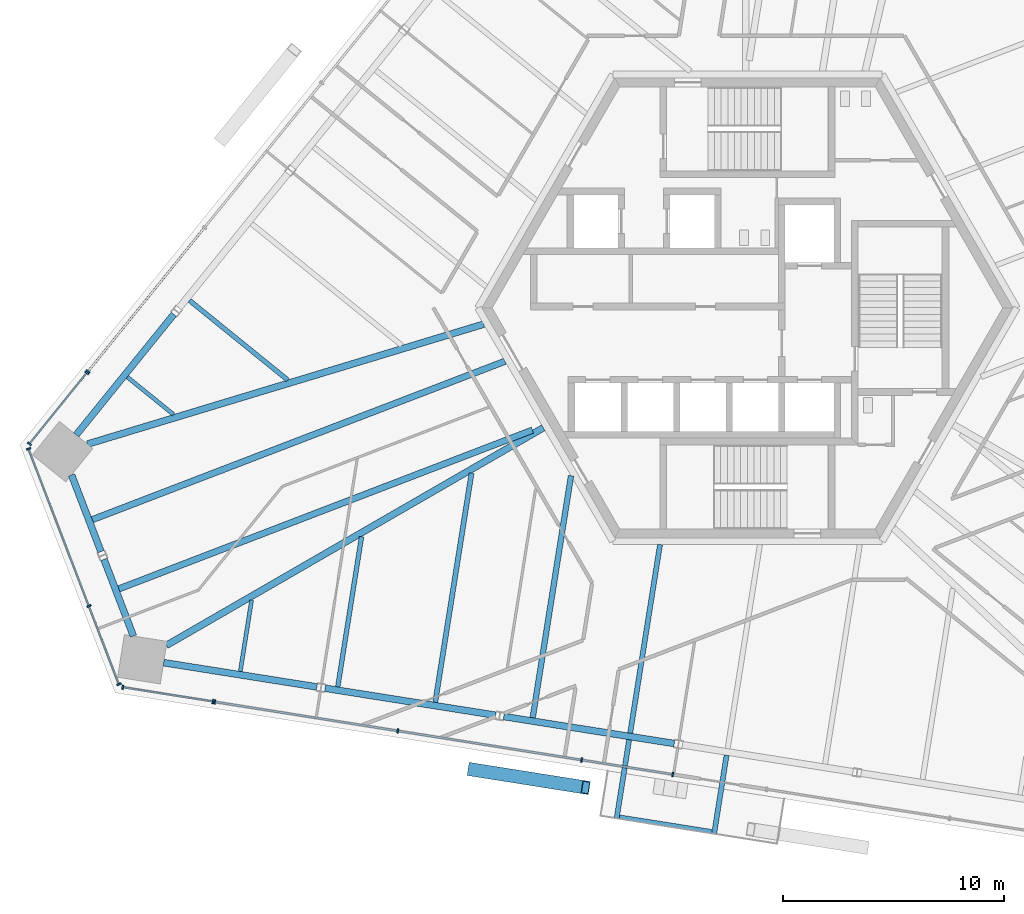
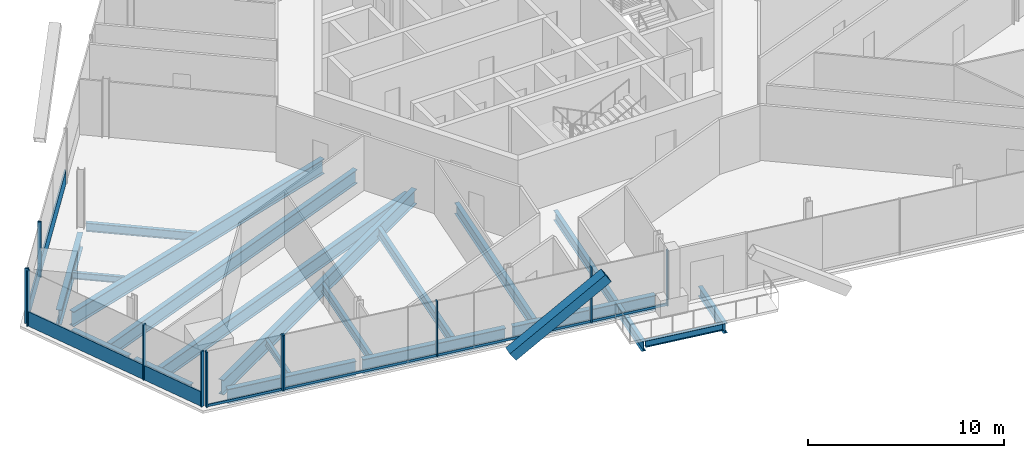
# One storey, part 4 of 19: 21 members, 20 beams, 5 elements without a shape of their own.
"""IFC4 building model written with IfcOpenShell, lengths in metres."""

from ifc_helpers import new_model, si_unit, direction, frame, origin, origin_2d, place, context, subcontext, project, spatial, rectangle, hollow_rectangle, i_section, extrude, source, transform, mapped, material, material_profile, profile_set, type_object, element, aggregate, save


model = new_model("IFC4")

# Units and contexts
model_context = context("Model", 3, precision=1e-05, world=origin(), true_north=direction((0.0, 1.0)))
body_context = subcontext(model_context, "Body", "Model", "MODEL_VIEW")
ifc_project = project(units=[si_unit("LENGTHUNIT", "METRE"), si_unit("AREAUNIT", "SQUARE_METRE"), si_unit("VOLUMEUNIT", "CUBIC_METRE"), si_unit("PLANEANGLEUNIT", "RADIAN"), si_unit("MASSUNIT", "GRAM", prefix="KILO")], contexts=[model_context])

# Site, building, storey
site_placement = place(None, origin())
site = spatial("IfcSite", under=ifc_project, at=site_placement, CompositionType="ELEMENT")
building_placement = place(site_placement, origin())
building = spatial("IfcBuilding", under=site, at=building_placement, Name="Triune Harvest Tower", CompositionType="ELEMENT")
storey_placement = place(building_placement, frame((0.0, 0.0, 149.699951171875)))
storey = spatial("IfcBuildingStorey", under=building, at=storey_placement, Name="L38", CompositionType="ELEMENT", Elevation=149.699951171875)

# Curtain wall, member
ifc_material_1 = material(Name="Aluminium bronze anodised", Category="aluminium")
curtain_wall_type_1 = type_object("IfcCurtainWallType", Name="CW-6 Balcony window wall", PredefinedType="NOTDEFINED", material=ifc_material_1)
curtain_wall_1_placement = place(storey_placement, origin())
curtain_wall_1 = element("IfcCurtainWall", 1, at=curtain_wall_1_placement, inside=storey, type_object=curtain_wall_type_1, Name="CW-6 B4-F5 L38 run 1")
ifc_material_2 = material(Name="Aluminium bronze anodised", Category="aluminium")
ifc_material_profile_1 = material_profile(ifc_material_2, rectangle(XDim=0.090087890625, YDim=0.14990234375, at=origin_2d()), Name="TR-6 transom 90 x 150")
ifc_profile_set_1 = profile_set([ifc_material_profile_1], Name="Aluminium bronze anodised")
member_type_1 = type_object("IfcMemberType", Name="TR-6 transom 90 x 150", PredefinedType="USERDEFINED", material=ifc_profile_set_1)
member_1_placement = place(storey_placement, frame((-28.192138671875, -17.151611328125, 0.074951171875), z_axis=(0.987689165137, -0.156429259, 0.0), x_axis=(0.156429259, 0.987689165137, 0.0)))
member_1 = element("IfcMember", 2, at=member_1_placement, type_object=member_type_1, Name="CW-6 transom B4-F5 1.1", ObjectType="TRANSOM", PredefinedType="USERDEFINED", context=body_context, shape_type="SweptSolid", body=[
    extrude(rectangle(XDim=0.090087890625, YDim=0.14990234375, at=origin_2d()), origin(), (0.0, 0.0, 1.0), 4.056396484375),
])

# Curtain wall, members
ifc_material_3 = material(Name="Aluminium bronze anodised", Category="aluminium")
curtain_wall_type_2 = type_object("IfcCurtainWallType", Name="CW-10 Balcony window wall with insulated spandrel infill", PredefinedType="NOTDEFINED", material=ifc_material_3)
curtain_wall_2_placement = place(storey_placement, origin())
curtain_wall_2 = element("IfcCurtainWall", 3, at=curtain_wall_2_placement, inside=storey, type_object=curtain_wall_type_2, Name="CW-10 B4-F5 L38 run 1001")
member_2_placement = place(storey_placement, frame((-24.037841796875, -17.8095703125, 0.074951171875), z_axis=(0.987689398324, -0.156427786655, 0.0), x_axis=(0.156427786655, 0.987689398324, 0.0)))
member_2 = element("IfcMember", 4, at=member_2_placement, type_object=member_type_1, Name="CW-10 transom B4-F5 1001.1", ObjectType="TRANSOM", PredefinedType="USERDEFINED", context=body_context, shape_type="SweptSolid", body=[
    extrude(rectangle(XDim=0.090087890625, YDim=0.14990234375, at=origin_2d()), origin(), (0.0, 0.0, 1.0), 8.300048828125),
])
member_3_placement = place(storey_placement, frame((-15.76611328125, -19.11962890625, 0.074951171875), z_axis=(0.987684489016, -0.156458781014, 0.0), x_axis=(0.156458781014, 0.987684489016, 0.0)))
member_3 = element("IfcMember", 5, at=member_3_placement, type_object=member_type_1, Name="CW-10 transom B4-F5 1001.2", ObjectType="TRANSOM", PredefinedType="USERDEFINED", context=body_context, shape_type="SweptSolid", body=[
    extrude(rectangle(XDim=0.090087890625, YDim=0.14990234375, at=origin_2d()), origin(), (0.0, 0.0, 1.0), 8.33740234375),
])

# Beams
ifc_material_4 = material(Name="Steel ASTM A992 Gr 50", Category="steel")
ifc_material_profile_2 = material_profile(ifc_material_4, i_section(OverallWidth=0.3046875, OverallDepth=0.914306640625, WebThickness=0.0166015625, FlangeThickness=0.02587890625, at=origin_2d()), Name="W36x160")
ifc_profile_set_2 = profile_set([ifc_material_profile_2], Name="Steel ASTM A992 Gr 50")
beam_type_1 = type_object("IfcBeamType", Name="SB-1 Spandrel beam W36x160", PredefinedType="SPANDREL", material=ifc_profile_set_2)
shared_shape_1 = source(origin(), body_context, "Body", "SweptSolid", [
    extrude(i_section(OverallWidth=0.3046875, OverallDepth=0.914306640625, WebThickness=0.0166015625, FlangeThickness=0.02587890625, at=origin_2d()), origin(), (0.0, 0.0, 1.0), 7.013427734375),
])
for number, where, z_axis, x_axis, name in (
    (6, (-25.920166015625, -0.2890625, -0.6171875), (-0.629311381255, -0.777153257358, 0.0), (0.777153257358, -0.629311381255, 0.0), "beam/L38/SB14"),
    (7, (-26.3828125, -16.031982421875, -0.6171875), (0.987682109987, -0.156473798484, 0.0), (0.156473798484, 0.987682109987, 0.0), "beam/L38/SB17"),
):
    element("IfcBeam", number, at=place(storey_placement, frame(where, z_axis=z_axis, x_axis=x_axis)), inside=storey, type_object=beam_type_1, Name=name, PredefinedType="SPANDREL", context=body_context, shape_type="MappedRepresentation", body=[
        mapped(shared_shape_1, transform((0.0, 0.0, 0.0), scale=1.0)),
    ])
shared_shape_2 = source(origin(), body_context, "Body", "SweptSolid", [
    extrude(i_section(OverallWidth=0.3046875, OverallDepth=0.914306640625, WebThickness=0.0166015625, FlangeThickness=0.02587890625, at=origin_2d()), origin(), (0.0, 0.0, 1.0), 3.71240234375),
])
beam_1_placement = place(storey_placement, frame((-30.5439453125, -7.548095703125, -0.6171875), z_axis=(0.358406131368, -0.933565768973, 0.0), x_axis=(0.933565768973, 0.358406131368, 0.0)))
element("IfcBeam", 8, at=beam_1_placement, inside=storey, type_object=beam_type_1, Name="beam/L38/SB15", PredefinedType="SPANDREL", context=body_context, shape_type="MappedRepresentation", body=[
    mapped(shared_shape_2, transform((0.0, 0.0, 0.0), scale=1.0)),
])
shared_shape_3 = source(origin(), body_context, "Body", "SweptSolid", [
    extrude(i_section(OverallWidth=0.3046875, OverallDepth=0.914306640625, WebThickness=0.0166015625, FlangeThickness=0.02587890625, at=origin_2d()), origin(), (0.0, 0.0, 1.0), 7.801513671875),
])
for number, where, z_axis, x_axis, name in (
    (9, (-19.087158203125, -17.187744140625, -0.6171875), (0.98768800071, -0.156436610974, 0.0), (0.156436610974, 0.98768800071, 0.0), "beam/L38/SB18"),
    (10, (-11.0126953125, -18.466552734375, -0.6171875), (0.98768800071, -0.156436610974, 0.0), (0.156436610974, 0.98768800071, 0.0), "beam/L38/SB19"),
):
    element("IfcBeam", number, at=place(storey_placement, frame(where, z_axis=z_axis, x_axis=x_axis)), inside=storey, type_object=beam_type_1, Name=name, PredefinedType="SPANDREL", context=body_context, shape_type="MappedRepresentation", body=[
        mapped(shared_shape_3, transform((0.0, 0.0, 0.0), scale=1.0)),
    ])
shared_shape_4 = source(origin(), body_context, "Body", "SweptSolid", [
    extrude(i_section(OverallWidth=0.3046875, OverallDepth=0.914306640625, WebThickness=0.0166015625, FlangeThickness=0.02587890625, at=origin_2d()), origin(), (0.0, 0.0, 1.0), 3.712646484375),
])
beam_2_placement = place(storey_placement, frame((-29.07958984375, -11.362548828125, -0.6171875), z_axis=(0.358326814132, -0.933596215863, 0.0), x_axis=(0.933596215863, 0.358326814132, 0.0)))
element("IfcBeam", 11, at=beam_2_placement, inside=storey, type_object=beam_type_1, Name="beam/L38/SB16", PredefinedType="SPANDREL", context=body_context, shape_type="MappedRepresentation", body=[
    mapped(shared_shape_4, transform((0.0, 0.0, 0.0), scale=1.0)),
])
ifc_material_5 = material(Name="Steel ASTM A992 Gr 50", Category="steel")
ifc_material_profile_3 = material_profile(ifc_material_5, i_section(OverallWidth=0.307373046875, OverallDepth=0.922119140625, WebThickness=0.018310546875, FlangeThickness=0.030029296875, at=origin_2d()), Name="W36x182")
ifc_profile_set_3 = profile_set([ifc_material_profile_3], Name="Steel ASTM A992 Gr 50")
beam_type_2 = type_object("IfcBeamType", Name="HG-2 Hip girder W36x182", PredefinedType="BEAM", material=ifc_profile_set_3)
shared_shape_5 = source(origin(), body_context, "Body", "SweptSolid", [
    extrude(i_section(OverallWidth=0.307373046875, OverallDepth=0.922119140625, WebThickness=0.018310546875, FlangeThickness=0.030029296875, at=origin_2d()), origin(), (0.0, 0.0, 1.0), 19.670166015625),
])
beam_3_placement = place(storey_placement, frame((-26.25927734375, -15.252197265625, -0.620849609375), z_axis=(0.866028709221, 0.499994274773, 0.0), x_axis=(-0.499994274773, 0.866028709221, 0.0)))
element("IfcBeam", 12, at=beam_3_placement, inside=storey, type_object=beam_type_2, Name="beam/L38/HG6", PredefinedType="BEAM", context=body_context, shape_type="MappedRepresentation", body=[
    mapped(shared_shape_5, transform((0.0, 0.0, 0.0), scale=1.0)),
])
shared_shape_6 = source(origin(), body_context, "Body", "SweptSolid", [
    extrude(i_section(OverallWidth=0.307373046875, OverallDepth=0.922119140625, WebThickness=0.018310546875, FlangeThickness=0.030029296875, at=origin_2d()), origin(), (0.0, 0.0, 1.0), 18.69580078125),
])
beam_4_placement = place(storey_placement, frame((-29.819580078125, -6.15576171875, -0.620849609375), z_axis=(0.957096860763, 0.289768181686, 0.0), x_axis=(-0.289768181686, 0.957096860763, 0.0)))
element("IfcBeam", 13, at=beam_4_placement, inside=storey, type_object=beam_type_2, Name="beam/L38/HG5", PredefinedType="BEAM", context=body_context, shape_type="MappedRepresentation", body=[
    mapped(shared_shape_6, transform((0.0, 0.0, 0.0), scale=1.0)),
])
ifc_material_6 = material(Name="Steel ASTM A992 Gr 50", Category="steel")
ifc_material_profile_4 = material_profile(ifc_material_6, i_section(OverallWidth=0.2099609375, OverallDepth=0.535888671875, WebThickness=0.010986328125, FlangeThickness=0.017333984375, at=origin_2d()), Name="W21x68")
ifc_profile_set_4 = profile_set([ifc_material_profile_4], Name="Steel ASTM A992 Gr 50")
beam_type_3 = type_object("IfcBeamType", Name="JT-2 Floor joist W21x68", PredefinedType="JOIST", material=ifc_profile_set_4)
shared_shape_7 = source(origin(), body_context, "Body", "SweptSolid", [
    extrude(i_section(OverallWidth=0.2099609375, OverallDepth=0.535888671875, WebThickness=0.010986328125, FlangeThickness=0.017333984375, at=origin_2d()), origin(), (0.0, 0.0, 1.0), 6.871826171875),
])
beam_5_placement = place(storey_placement, frame((-18.513671875, -17.124267578125, -0.427978515625), z_axis=(0.156431434427, 0.987688820592, 0.0), x_axis=(-0.987688820592, 0.156431434427, 0.0)))
element("IfcBeam", 14, at=beam_5_placement, inside=storey, type_object=beam_type_3, Name="beam/L38/JT26", PredefinedType="JOIST", context=body_context, shape_type="MappedRepresentation", body=[
    mapped(shared_shape_7, transform((0.0, 0.0, 0.0), scale=1.0)),
])
ifc_material_7 = material(Name="Steel ASTM A992 Gr 50", Category="steel")
ifc_material_profile_5 = material_profile(ifc_material_7, i_section(OverallWidth=0.22900390625, OverallDepth=0.612060546875, WebThickness=0.011962890625, FlangeThickness=0.01953125, at=origin_2d()), Name="W24x84")
ifc_profile_set_5 = profile_set([ifc_material_profile_5], Name="Steel ASTM A992 Gr 50")
beam_type_4 = type_object("IfcBeamType", Name="JT-3 Floor joist W24x84", PredefinedType="JOIST", material=ifc_profile_set_5)
shared_shape_8 = source(origin(), body_context, "Body", "SweptSolid", [
    extrude(i_section(OverallWidth=0.22900390625, OverallDepth=0.612060546875, WebThickness=0.011962890625, FlangeThickness=0.01953125, at=origin_2d()), origin(), (0.0, 0.0, 1.0), 10.482666015625),
])
beam_6_placement = place(storey_placement, frame((-14.109375, -17.82177734375, -0.466064453125), z_axis=(0.156439750993, 0.987687503368, 0.0), x_axis=(-0.987687503368, 0.156439750993, 0.0)))
element("IfcBeam", 15, at=beam_6_placement, inside=storey, type_object=beam_type_4, Name="beam/L38/JT27", PredefinedType="JOIST", context=body_context, shape_type="MappedRepresentation", body=[
    mapped(shared_shape_8, transform((0.0, 0.0, 0.0), scale=1.0)),
])
ifc_material_8 = material(Name="Steel ASTM A992 Gr 50", Category="steel")
ifc_material_profile_6 = material_profile(ifc_material_8, i_section(OverallWidth=0.180908203125, OverallDepth=0.41650390625, WebThickness=0.010986328125, FlangeThickness=0.01806640625, at=origin_2d()), Name="W16x57")
ifc_profile_set_6 = profile_set([ifc_material_profile_6], Name="Steel ASTM A992 Gr 50")
beam_type_5 = type_object("IfcBeamType", Name="JT-1 Floor joist W16x57", PredefinedType="JOIST", material=ifc_profile_set_6)
shared_shape_9 = source(origin(), body_context, "Body", "SweptSolid", [
    extrude(i_section(OverallWidth=0.180908203125, OverallDepth=0.41650390625, WebThickness=0.010986328125, FlangeThickness=0.01806640625, at=origin_2d()), origin(), (0.0, 0.0, 1.0), 2.687255859375),
])
beam_7_placement = place(storey_placement, frame((-28.022705078125, -3.127685546875, -0.3681640625), z_axis=(0.777141190223, -0.629326282987, 0.0), x_axis=(0.629326282987, 0.777141190223, 0.0)))
element("IfcBeam", 16, at=beam_7_placement, inside=storey, type_object=beam_type_5, Name="beam/L38/JT22", PredefinedType="JOIST", context=body_context, shape_type="MappedRepresentation", body=[
    mapped(shared_shape_9, transform((0.0, 0.0, 0.0), scale=1.0)),
])
ifc_material_9 = material(Name="Steel ASTM A992 Gr 50", Category="steel")
ifc_material_profile_7 = material_profile(ifc_material_9, i_section(OverallWidth=0.2919921875, OverallDepth=0.8583984375, WebThickness=0.01708984375, FlangeThickness=0.031005859375, at=origin_2d()), Name="W33x169")
ifc_profile_set_7 = profile_set([ifc_material_profile_7], Name="Steel ASTM A992 Gr 50")
beam_type_6 = type_object("IfcBeamType", Name="JT-7 Floor joist W33x169", PredefinedType="JOIST", material=ifc_profile_set_7)
shared_shape_10 = source(origin(), body_context, "Body", "SweptSolid", [
    extrude(i_section(OverallWidth=0.2919921875, OverallDepth=0.8583984375, WebThickness=0.01708984375, FlangeThickness=0.031005859375, at=origin_2d()), origin(), (0.0, 0.0, 1.0), 19.97216796875),
])
beam_8_placement = place(storey_placement, frame((-29.6044921875, -9.570068359375, -0.58935546875), z_axis=(0.933578234713, 0.358373659287, 0.0), x_axis=(-0.358373659287, 0.933578234713, 0.0)))
element("IfcBeam", 17, at=beam_8_placement, inside=storey, type_object=beam_type_6, Name="beam/L38/JT23", PredefinedType="JOIST", context=body_context, shape_type="MappedRepresentation", body=[
    mapped(shared_shape_10, transform((0.0, 0.0, 0.0), scale=1.0)),
])
shared_shape_11 = source(origin(), body_context, "Body", "SweptSolid", [
    extrude(i_section(OverallWidth=0.180908203125, OverallDepth=0.41650390625, WebThickness=0.010986328125, FlangeThickness=0.01806640625, at=origin_2d()), origin(), (0.0, 0.0, 1.0), 3.2607421875),
])
beam_9_placement = place(storey_placement, frame((-22.917724609375, -16.4267578125, -0.3681640625), z_axis=(0.156404699139, 0.987693054591, 0.0), x_axis=(-0.987693054591, 0.156404699139, 0.0)))
element("IfcBeam", 18, at=beam_9_placement, inside=storey, type_object=beam_type_5, Name="beam/L38/JT25", PredefinedType="JOIST", context=body_context, shape_type="MappedRepresentation", body=[
    mapped(shared_shape_11, transform((0.0, 0.0, 0.0), scale=1.0)),
])
ifc_material_10 = material(Name="Steel ASTM A992 Gr 50", Category="steel")
ifc_material_profile_8 = material_profile(ifc_material_10, i_section(OverallWidth=0.253662109375, OverallDepth=0.683349609375, WebThickness=0.012451171875, FlangeThickness=0.01904296875, at=origin_2d()), Name="W27x94")
ifc_profile_set_8 = profile_set([ifc_material_profile_8], Name="Steel ASTM A992 Gr 50")
beam_type_7 = type_object("IfcBeamType", Name="JT-4 Floor joist W27x94", PredefinedType="JOIST", material=ifc_profile_set_8)
shared_shape_12 = source(origin(), body_context, "Body", "SweptSolid", [
    extrude(i_section(OverallWidth=0.253662109375, OverallDepth=0.683349609375, WebThickness=0.012451171875, FlangeThickness=0.01904296875, at=origin_2d()), origin(), (0.0, 0.0, 1.0), 11.0712890625),
])
beam_10_placement = place(storey_placement, frame((-9.705078125, -18.519287109375, -0.50146484375), z_axis=(0.156433624309, 0.987688473753, 0.0), x_axis=(-0.987688473753, 0.156433624309, 0.0)))
element("IfcBeam", 19, at=beam_10_placement, inside=storey, type_object=beam_type_7, Name="beam/L38/JT28", PredefinedType="JOIST", context=body_context, shape_type="MappedRepresentation", body=[
    mapped(shared_shape_12, transform((0.0, 0.0, 0.0), scale=1.0)),
])
shared_shape_13 = source(origin(), body_context, "Body", "SweptSolid", [
    extrude(i_section(OverallWidth=0.22900390625, OverallDepth=0.612060546875, WebThickness=0.011962890625, FlangeThickness=0.01953125, at=origin_2d()), origin(), (0.0, 0.0, 1.0), 8.6259765625),
])
beam_11_placement = place(storey_placement, frame((-5.301025390625, -19.216796875, -0.466064453125), z_axis=(0.156430549504, 0.987688960747, 0.0), x_axis=(-0.987688960747, 0.156430549504, 0.0)))
element("IfcBeam", 20, at=beam_11_placement, inside=storey, type_object=beam_type_4, Name="beam/L38/JT29", PredefinedType="JOIST", context=body_context, shape_type="MappedRepresentation", body=[
    mapped(shared_shape_13, transform((0.0, 0.0, 0.0), scale=1.0)),
])
shared_shape_14 = source(origin(), body_context, "Body", "SweptSolid", [
    extrude(i_section(OverallWidth=0.2099609375, OverallDepth=0.535888671875, WebThickness=0.010986328125, FlangeThickness=0.017333984375, at=origin_2d()), origin(), (0.0, 0.0, 1.0), 5.71240234375),
])
beam_12_placement = place(storey_placement, frame((-25.216552734375, 0.337646484375, -0.427978515625), z_axis=(0.777148320449, -0.629317477926, 0.0), x_axis=(0.629317477926, 0.777148320449, 0.0)))
element("IfcBeam", 21, at=beam_12_placement, inside=storey, type_object=beam_type_3, Name="beam/L38/JT21", PredefinedType="JOIST", context=body_context, shape_type="MappedRepresentation", body=[
    mapped(shared_shape_14, transform((0.0, 0.0, 0.0), scale=1.0)),
])
shared_shape_15 = source(origin(), body_context, "Body", "SweptSolid", [
    extrude(i_section(OverallWidth=0.2919921875, OverallDepth=0.8583984375, WebThickness=0.01708984375, FlangeThickness=0.031005859375, at=origin_2d()), origin(), (0.0, 0.0, 1.0), 20.01611328125),
])
beam_13_placement = place(storey_placement, frame((-28.404052734375, -12.697509765625, -0.58935546875), z_axis=(0.933581802132, 0.358364365875, 0.0), x_axis=(-0.358364365875, 0.933581802132, 0.0)))
element("IfcBeam", 22, at=beam_13_placement, inside=storey, type_object=beam_type_6, Name="beam/L38/JT24", PredefinedType="JOIST", context=body_context, shape_type="MappedRepresentation", body=[
    mapped(shared_shape_15, transform((0.0, 0.0, 0.0), scale=1.0)),
])

# Member
ifc_material_11 = material(Name="Steel ASTM A572 Gr 50", Category="steel")
ifc_material_profile_9 = material_profile(ifc_material_11, hollow_rectangle(XDim=0.60009765625, YDim=0.60009765625, WallThickness=0.0400390625, at=origin_2d()), Name="Box 600x600x40")
ifc_profile_set_9 = profile_set([ifc_material_profile_9], Name="Steel ASTM A572 Gr 50")
member_type_2 = type_object("IfcMemberType", Name="BR-2 Brace Box 600x600x40", PredefinedType="BRACE", material=ifc_profile_set_9)
shared_shape_16 = source(origin(), body_context, "Body", "SweptSolid", [
    extrude(hollow_rectangle(XDim=0.60009765625, YDim=0.60009765625, WallThickness=0.0400390625, at=origin_2d()), origin(), (0.0, 0.0, 1.0), 6.329345703125),
])
member_4_placement = place(storey_placement, frame((-12.454833984375, -20.859130859375, 0.0), z_axis=(0.812352534668, -0.128641771278, 0.568801067247), x_axis=(0.156408097916, 0.987692516377, 0.0)))
element("IfcMember", 23, at=member_4_placement, inside=storey, type_object=member_type_2, Name="brace/B4-F5/d1/4", PredefinedType="BRACE", context=body_context, shape_type="MappedRepresentation", body=[
    mapped(shared_shape_16, transform((0.0, 0.0, 0.0), scale=1.0)),
])

# Curtain wall, member
ifc_material_12 = material(Name="Aluminium bronze anodised", Category="aluminium")
curtain_wall_type_3 = type_object("IfcCurtainWallType", Name="CW-7 Tower stick curtain wall with insulated spandrel infill", PredefinedType="NOTDEFINED", material=ifc_material_12)
curtain_wall_3_placement = place(storey_placement, origin())
curtain_wall_3 = element("IfcCurtainWall", 24, at=curtain_wall_3_placement, inside=storey, type_object=curtain_wall_type_3, Name="CW-7 B4-F3 L38 run 1001")
ifc_material_13 = material(Name="Aluminium bronze anodised", Category="aluminium")
ifc_material_profile_10 = material_profile(ifc_material_13, rectangle(XDim=0.199951171875, YDim=0.074951171875, at=origin_2d()), Name="MU-1 mullion 75 x 200")
ifc_profile_set_10 = profile_set([ifc_material_profile_10], Name="Aluminium bronze anodised")
member_type_3 = type_object("IfcMemberType", Name="MU-1 mullion 75 x 200", PredefinedType="MULLION", material=ifc_profile_set_10)
shared_shape_17 = source(origin(), body_context, "Body", "SweptSolid", [
    extrude(rectangle(XDim=0.199951171875, YDim=0.074951171875, at=origin_2d()), origin(), (0.0, 0.0, 1.0), 3.43994140625),
])
member_5_placement = place(storey_placement, frame((-29.80419921875, -2.87841796875, 0.0), z_axis=(0.0, 0.0, 1.0), x_axis=(0.77714431638, -0.629322422546, 0.0)))
member_5 = element("IfcMember", 25, at=member_5_placement, type_object=member_type_3, Name="CW-7 mullion B4-F3 1001.11", PredefinedType="MULLION", context=body_context, shape_type="MappedRepresentation", body=[
    mapped(shared_shape_17, transform((0.0, 0.0, 0.0), scale=1.0)),
])

# Curtain wall, members
ifc_material_14 = material(Name="Aluminium bronze anodised", Category="aluminium")
curtain_wall_type_4 = type_object("IfcCurtainWallType", Name="CW-1 Tower stick curtain wall", PredefinedType="NOTDEFINED", material=ifc_material_14)
curtain_wall_4_placement = place(storey_placement, origin())
curtain_wall_4 = element("IfcCurtainWall", 26, at=curtain_wall_4_placement, inside=storey, type_object=curtain_wall_type_4, Name="CW-1 B4-F3 L38 run 2001")
member_6_placement = place(storey_placement, frame((-29.851318359375, -2.9365234375, 0.0), z_axis=(0.0, 0.0, 1.0), x_axis=(0.777148997544, -0.629316641776, 0.0)))
member_6 = element("IfcMember", 27, at=member_6_placement, type_object=member_type_3, Name="CW-1 mullion B4-F3 2001.1", PredefinedType="MULLION", context=body_context, shape_type="MappedRepresentation", body=[
    mapped(shared_shape_17, transform((0.0, 0.0, 0.0), scale=1.0)),
])
member_7_placement = place(storey_placement, frame((-32.451171875, -6.147216796875, 0.0), z_axis=(0.0, 0.0, 1.0), x_axis=(0.777148997544, -0.629316641776, 0.0)))
member_7 = element("IfcMember", 28, at=member_7_placement, type_object=member_type_3, Name="CW-1 mullion B4-F3 2001.2", PredefinedType="MULLION", context=body_context, shape_type="MappedRepresentation", body=[
    mapped(shared_shape_17, transform((0.0, 0.0, 0.0), scale=1.0)),
])

curtain_wall_5_placement = place(storey_placement, origin())
curtain_wall_5 = element("IfcCurtainWall", 29, at=curtain_wall_5_placement, inside=storey, type_object=curtain_wall_type_4, Name="CW-1 B4-F4 L38 run 1")
member_8_placement = place(storey_placement, frame((-32.485595703125, -6.365234375, 0.0), z_axis=(0.0, 0.0, 1.0), x_axis=(0.933580057745, 0.358368910177, 0.0)))
member_8 = element("IfcMember", 30, at=member_8_placement, type_object=member_type_3, Name="CW-1 mullion B4-F4 1.1", PredefinedType="MULLION", context=body_context, shape_type="MappedRepresentation", body=[
    mapped(shared_shape_17, transform((0.0, 0.0, 0.0), scale=1.0)),
])
member_9_placement = place(storey_placement, frame((-29.7578125, -13.47119140625, 0.0), z_axis=(0.0, 0.0, 1.0), x_axis=(0.933580057745, 0.358368910177, 0.0)))
member_9 = element("IfcMember", 31, at=member_9_placement, type_object=member_type_3, Name="CW-1 mullion B4-F4 1.3", PredefinedType="MULLION", context=body_context, shape_type="MappedRepresentation", body=[
    mapped(shared_shape_17, transform((0.0, 0.0, 0.0), scale=1.0)),
])
member_10_placement = place(storey_placement, frame((-28.400634765625, -17.0068359375, 0.0), z_axis=(0.0, 0.0, 1.0), x_axis=(0.933580057745, 0.358368910177, 0.0)))
member_10 = element("IfcMember", 32, at=member_10_placement, type_object=member_type_3, Name="CW-1 mullion B4-F4 1.4", PredefinedType="MULLION", context=body_context, shape_type="MappedRepresentation", body=[
    mapped(shared_shape_17, transform((0.0, 0.0, 0.0), scale=1.0)),
])

# Member
ifc_material_15 = material(Name="Aluminium bronze anodised", Category="aluminium")
ifc_material_profile_11 = material_profile(ifc_material_15, rectangle(XDim=0.199951171875, YDim=0.074951171875, at=origin_2d()), Name="MU-6 mullion 75 x 200")
ifc_profile_set_11 = profile_set([ifc_material_profile_11], Name="Aluminium bronze anodised")
member_type_4 = type_object("IfcMemberType", Name="MU-6 mullion 75 x 200", PredefinedType="MULLION", material=ifc_profile_set_11)
shared_shape_18 = source(origin(), body_context, "Body", "SweptSolid", [
    extrude(rectangle(XDim=0.199951171875, YDim=0.074951171875, at=origin_2d()), origin(), (0.0, 0.0, 1.0), 3.43994140625),
])
member_11_placement = place(storey_placement, frame((-28.22900390625, -17.145751953125, 0.0), z_axis=(0.0, 0.0, 1.0), x_axis=(0.15644446033, 0.987686757445, 0.0)))
member_11 = element("IfcMember", 33, at=member_11_placement, type_object=member_type_4, Name="CW-6 mullion B4-F5 1.1", PredefinedType="MULLION", context=body_context, shape_type="MappedRepresentation", body=[
    mapped(shared_shape_18, transform((0.0, 0.0, 0.0), scale=1.0)),
])

member_12_placement = place(storey_placement, frame((-24.14892578125, -17.7919921875, 0.0), z_axis=(0.0, 0.0, 1.0), x_axis=(0.15644446033, 0.987686757445, 0.0)))
member_12 = element("IfcMember", 34, at=member_12_placement, type_object=member_type_4, Name="CW-6 mullion B4-F5 1.2", PredefinedType="MULLION", context=body_context, shape_type="MappedRepresentation", body=[
    mapped(shared_shape_18, transform((0.0, 0.0, 0.0), scale=1.0)),
])

aggregate(curtain_wall_1, [member_11, member_12, member_1])

member_13_placement = place(storey_placement, frame((-24.07470703125, -17.8037109375, 0.0), z_axis=(0.0, 0.0, 1.0), x_axis=(0.156433077296, 0.987688560391, 0.0)))
member_13 = element("IfcMember", 35, at=member_13_placement, type_object=member_type_4, Name="CW-10 mullion B4-F5 1001.1", PredefinedType="MULLION", context=body_context, shape_type="MappedRepresentation", body=[
    mapped(shared_shape_18, transform((0.0, 0.0, 0.0), scale=1.0)),
])

member_14_placement = place(storey_placement, frame((-15.802978515625, -19.11376953125, 0.0), z_axis=(0.0, 0.0, 1.0), x_axis=(0.156433077296, 0.987688560391, 0.0)))
member_14 = element("IfcMember", 36, at=member_14_placement, type_object=member_type_4, Name="CW-10 mullion B4-F5 1001.3", PredefinedType="MULLION", context=body_context, shape_type="MappedRepresentation", body=[
    mapped(shared_shape_18, transform((0.0, 0.0, 0.0), scale=1.0)),
])

member_15_placement = place(storey_placement, frame((-7.494384765625, -20.429931640625, 0.0), z_axis=(0.0, 0.0, 1.0), x_axis=(0.156433077296, 0.987688560391, 0.0)))
member_15 = element("IfcMember", 37, at=member_15_placement, type_object=member_type_4, Name="CW-10 mullion B4-F5 1001.5", PredefinedType="MULLION", context=body_context, shape_type="MappedRepresentation", body=[
    mapped(shared_shape_18, transform((0.0, 0.0, 0.0), scale=1.0)),
])

member_16_placement = place(storey_placement, frame((-3.376953125, -21.08203125, 0.0), z_axis=(0.0, 0.0, 1.0), x_axis=(0.156433077296, 0.987688560391, 0.0)))
member_16 = element("IfcMember", 38, at=member_16_placement, type_object=member_type_4, Name="CW-10 mullion B4-F5 1001.6", PredefinedType="MULLION", context=body_context, shape_type="MappedRepresentation", body=[
    mapped(shared_shape_18, transform((0.0, 0.0, 0.0), scale=1.0)),
])

# Beams
ifc_material_16 = material(Name="Steel ASTM A992 Gr 50", Category="steel")
ifc_material_profile_12 = material_profile(ifc_material_16, i_section(OverallWidth=0.22900390625, OverallDepth=0.612060546875, WebThickness=0.011962890625, FlangeThickness=0.01953125, at=origin_2d()), Name="W24x84")
ifc_profile_set_12 = profile_set([ifc_material_profile_12], Name="Steel ASTM A992 Gr 50")
beam_type_8 = type_object("IfcBeamType", Name="BJ-3 Balcony cantilever joist W24x84", PredefinedType="JOIST", material=ifc_profile_set_12)
shared_shape_19 = source(origin(), body_context, "Body", "SweptSolid", [
    extrude(i_section(OverallWidth=0.22900390625, OverallDepth=0.612060546875, WebThickness=0.011962890625, FlangeThickness=0.01953125, at=origin_2d()), origin(), (0.0, 0.0, 1.0), 3.59765625),
])
beam_14_placement = place(storey_placement, frame((-0.944580078125, -20.21533203125, -0.466064453125), z_axis=(-0.156415563393, -0.987691334137, 0.0), x_axis=(0.987691334137, -0.156415563393, 0.0)))
element("IfcBeam", 39, at=beam_14_placement, inside=storey, type_object=beam_type_8, Name="Balcony cantilever joist B4-F5 L38.7a", PredefinedType="JOIST", context=body_context, shape_type="MappedRepresentation", body=[
    mapped(shared_shape_19, transform((0.0, 0.0, 0.0), scale=1.0)),
])
shared_shape_20 = source(origin(), body_context, "Body", "SweptSolid", [
    extrude(i_section(OverallWidth=0.22900390625, OverallDepth=0.612060546875, WebThickness=0.011962890625, FlangeThickness=0.01953125, at=origin_2d()), origin(), (0.0, 0.0, 1.0), 3.597900390625),
])
beam_15_placement = place(storey_placement, frame((-5.3486328125, -19.517822265625, -0.466064453125), z_axis=(-0.156481761353, -0.987680848434, 0.0), x_axis=(0.987680848434, -0.156481761353, 0.0)))
element("IfcBeam", 40, at=beam_15_placement, inside=storey, type_object=beam_type_8, Name="Balcony cantilever joist B4-F5 L38.7b", PredefinedType="JOIST", context=body_context, shape_type="MappedRepresentation", body=[
    mapped(shared_shape_20, transform((0.0, 0.0, 0.0), scale=1.0)),
])

# Member
ifc_material_17 = material(Name="Aluminium bronze anodised", Category="aluminium")
ifc_material_profile_13 = material_profile(ifc_material_17, rectangle(XDim=0.090087890625, YDim=0.89990234375, at=origin_2d()), Name="TR-1 transom 90 x 900")
ifc_profile_set_13 = profile_set([ifc_material_profile_13], Name="Aluminium bronze anodised")
member_type_5 = type_object("IfcMemberType", Name="TR-1 transom 90 x 900", PredefinedType="USERDEFINED", material=ifc_profile_set_13)
shared_shape_21 = source(origin(), body_context, "Body", "SweptSolid", [
    extrude(rectangle(XDim=0.090087890625, YDim=0.89990234375, at=origin_2d()), origin(), (0.0, 0.0, 1.0), 3.7119140625),
])
member_17_placement = place(storey_placement, frame((-29.744384765625, -13.50634765625, 0.449951171875), z_axis=(0.358392822083, -0.933570878444, 0.0), x_axis=(0.933570878444, 0.358392822083, 0.0)))
member_17 = element("IfcMember", 41, at=member_17_placement, type_object=member_type_5, Name="CW-1 transom B4-F4 1.2", ObjectType="TRANSOM", PredefinedType="USERDEFINED", context=body_context, shape_type="MappedRepresentation", body=[
    mapped(shared_shape_21, transform((0.0, 0.0, 0.0), scale=1.0)),
])

shared_shape_22 = source(origin(), body_context, "Body", "SweptSolid", [
    extrude(rectangle(XDim=0.090087890625, YDim=0.89990234375, at=origin_2d()), origin(), (0.0, 0.0, 1.0), 4.055908203125),
])
member_18_placement = place(storey_placement, frame((-29.875, -2.9658203125, 0.449951171875), z_axis=(-0.629315968505, -0.777149542742, 0.0), x_axis=(0.777149542742, -0.629315968505, 0.0)))
member_18 = element("IfcMember", 42, at=member_18_placement, type_object=member_type_5, Name="CW-1 transom B4-F3 2001.1", ObjectType="TRANSOM", PredefinedType="USERDEFINED", context=body_context, shape_type="MappedRepresentation", body=[
    mapped(shared_shape_22, transform((0.0, 0.0, 0.0), scale=1.0)),
])

aggregate(curtain_wall_4, [member_6, member_7, member_18])

shared_shape_23 = source(origin(), body_context, "Body", "SweptSolid", [
    extrude(rectangle(XDim=0.090087890625, YDim=0.89990234375, at=origin_2d()), origin(), (0.0, 0.0, 1.0), 8.299560546875),
])
member_19_placement = place(storey_placement, frame((-24.557373046875, 3.600830078125, 0.449951171875), z_axis=(-0.629325998453, -0.777141420638, 0.0), x_axis=(0.777141420638, -0.629325998453, 0.0)))
member_19 = element("IfcMember", 43, at=member_19_placement, type_object=member_type_5, Name="CW-7 transom B4-F3 1001.5", ObjectType="TRANSOM", PredefinedType="USERDEFINED", context=body_context, shape_type="MappedRepresentation", body=[
    mapped(shared_shape_23, transform((0.0, 0.0, 0.0), scale=1.0)),
])

aggregate(curtain_wall_3, [member_5, member_19])

shared_shape_24 = source(origin(), body_context, "Body", "SweptSolid", [
    extrude(rectangle(XDim=0.090087890625, YDim=0.89990234375, at=origin_2d()), origin(), (0.0, 0.0, 1.0), 7.53662109375),
])
member_20_placement = place(storey_placement, frame((-32.47216796875, -6.400146484375, 0.449951171875), z_axis=(0.358369036816, -0.933580009132, 0.0), x_axis=(0.933580009132, 0.358369036816, 0.0)))
member_20 = element("IfcMember", 44, at=member_20_placement, type_object=member_type_5, Name="CW-1 transom B4-F4 1.1", ObjectType="TRANSOM", PredefinedType="USERDEFINED", context=body_context, shape_type="MappedRepresentation", body=[
    mapped(shared_shape_24, transform((0.0, 0.0, 0.0), scale=1.0)),
])

aggregate(curtain_wall_5, [member_8, member_9, member_10, member_20, member_17])

shared_shape_25 = source(origin(), body_context, "Body", "SweptSolid", [
    extrude(rectangle(XDim=0.090087890625, YDim=0.14990234375, at=origin_2d()), origin(), (0.0, 0.0, 1.0), 4.093505859375),
])
member_21_placement = place(storey_placement, frame((-7.457275390625, -20.435791015625, 0.074951171875), z_axis=(0.987688384054, -0.156434190651, 0.0), x_axis=(0.156434190651, 0.987688384054, 0.0)))
member_21 = element("IfcMember", 45, at=member_21_placement, type_object=member_type_1, Name="CW-10 transom B4-F5 1001.3", ObjectType="TRANSOM", PredefinedType="USERDEFINED", context=body_context, shape_type="MappedRepresentation", body=[
    mapped(shared_shape_25, transform((0.0, 0.0, 0.0), scale=1.0)),
])

aggregate(curtain_wall_2, [member_13, member_14, member_15, member_16, member_2, member_3, member_21])

# Beam
ifc_material_18 = material(Name="Steel ASTM A992 Gr 50", Category="steel")
ifc_material_profile_14 = material_profile(ifc_material_18, i_section(OverallWidth=0.180908203125, OverallDepth=0.41650390625, WebThickness=0.010986328125, FlangeThickness=0.01806640625, at=origin_2d()), Name="W16x57")
ifc_profile_set_14 = profile_set([ifc_material_profile_14], Name="Steel ASTM A992 Gr 50")
beam_type_9 = type_object("IfcBeamType", Name="BE-1 balcony edge beam W16x57", PredefinedType="BEAM", material=ifc_profile_set_14)
shared_shape_26 = source(origin(), body_context, "Body", "SweptSolid", [
    extrude(i_section(OverallWidth=0.180908203125, OverallDepth=0.41650390625, WebThickness=0.010986328125, FlangeThickness=0.01806640625, at=origin_2d()), origin(), (0.0, 0.0, 1.0), 4.22998046875),
])
beam_16_placement = place(storey_placement, frame((-5.7841796875, -23.0, -0.3681640625), z_axis=(0.987692200965, -0.156410089675, 0.0), x_axis=(0.156410089675, 0.987692200965, 0.0)))
element("IfcBeam", 46, at=beam_16_placement, inside=storey, type_object=beam_type_9, Name="Balcony edge beam B4-F5 L38.7", PredefinedType="BEAM", context=body_context, shape_type="MappedRepresentation", body=[
    mapped(shared_shape_26, transform((0.0, 0.0, 0.0), scale=1.0)),
])

save(model, "model.ifc")
